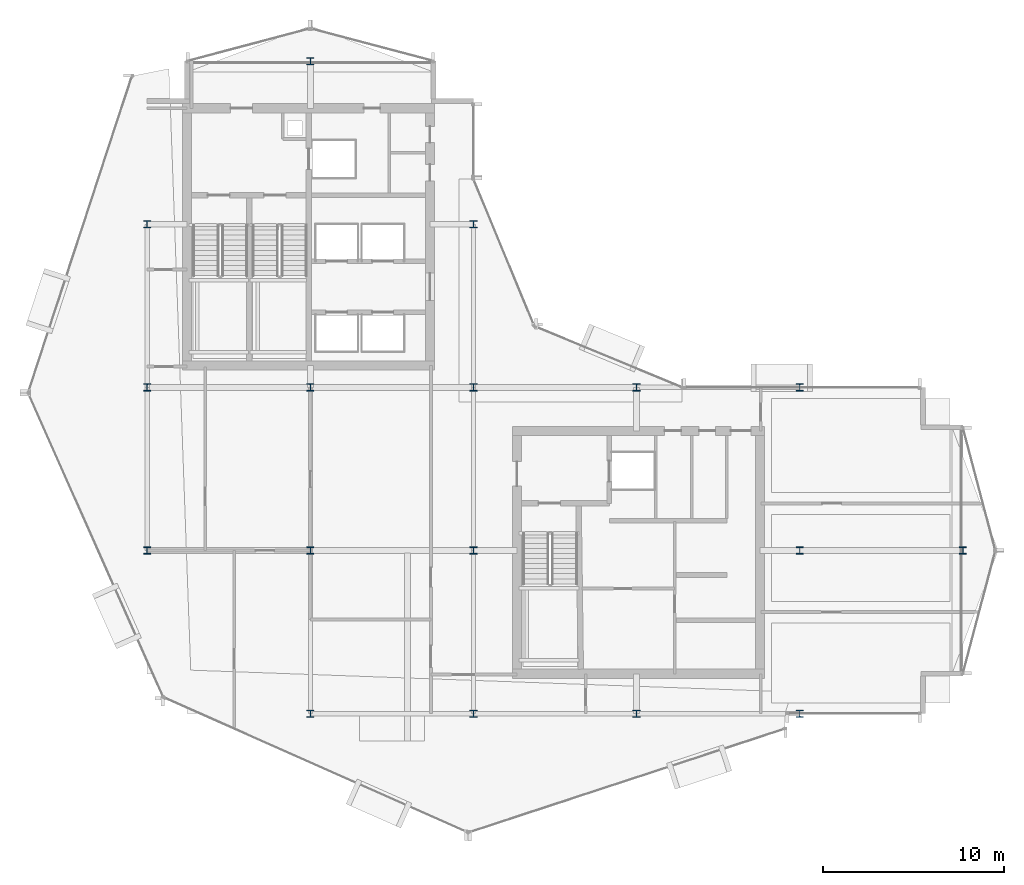
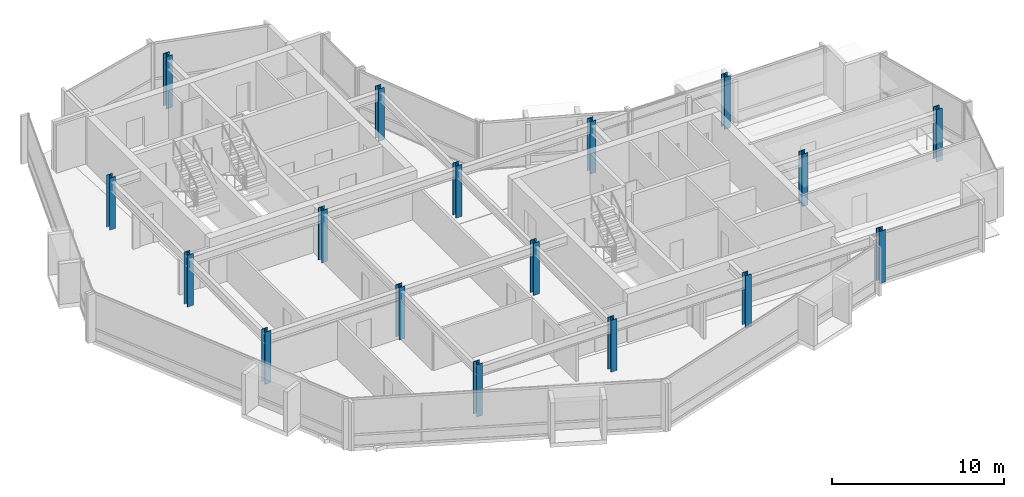
# One storey, part 1 of 28: 17 columns.
"""IFC4 building model written with IfcOpenShell, lengths in metres."""

from ifc_helpers import new_model, si_unit, direction, frame, origin, origin_2d, place, context, subcontext, project, spatial, i_section, extrude, material, material_profile, profile_set, type_object, element, save


model = new_model("IFC4")

# Units and contexts
model_context = context("Model", 3, precision=1e-05, world=origin(), true_north=direction((0.0, 1.0)))
body_context = subcontext(model_context, "Body", "Model", "MODEL_VIEW")
ifc_project = project(units=[si_unit("LENGTHUNIT", "METRE"), si_unit("AREAUNIT", "SQUARE_METRE"), si_unit("VOLUMEUNIT", "CUBIC_METRE"), si_unit("PLANEANGLEUNIT", "RADIAN"), si_unit("MASSUNIT", "GRAM", prefix="KILO")], contexts=[model_context])

# Site, building, storey
site_placement = place(None, origin())
site = spatial("IfcSite", under=ifc_project, at=site_placement, CompositionType="ELEMENT")
building_placement = place(site_placement, origin())
building = spatial("IfcBuilding", under=site, at=building_placement, Name="Solvaryn Broadcast Tower", CompositionType="ELEMENT")
storey_placement = place(building_placement, frame((0.0, 0.0, 206.199951171875)))
storey = spatial("IfcBuildingStorey", under=building, at=storey_placement, Name="L51", CompositionType="ELEMENT", Elevation=206.199951171875)

# Columns
ifc_material_1 = material(Name="Steel ASTM A913 Grade 65", Category="steel")
ifc_material_profile_1 = material_profile(ifc_material_1, i_section(OverallWidth=0.40087890625, OverallDepth=0.39892578125, WebThickness=0.02490234375, FlangeThickness=0.03955078125, FilletRadius=0.014892578125, at=origin_2d()))
ifc_profile_set_1 = profile_set([ifc_material_profile_1], Name="Steel ASTM A913 Grade 65")
column_type_1 = type_object("IfcColumnType", Name="COL-C08E-W14X211", PredefinedType="COLUMN", material=ifc_profile_set_1)
for number, where, z_axis, x_axis, name in (
    (1, (9.0, 18.0, 0.0), (0.0, 0.0, 1.0), (1.0, 0.0, 0.0), "L51 Column (9.0, 18.0)"),
    (2, (9.0, 27.0, 0.0), (0.0, 0.0, 1.0), (1.0, 0.0, 0.0), "L51 Column (9.0, 27.0)"),
    (3, (9.0, 36.0, 0.0), (0.0, 0.0, 1.0), (1.0, 0.0, 0.0), "L51 Column (9.0, 36.0)"),
    (4, (18.0, 9.0, 0.0), (0.0, 0.0, 1.0), (1.0, 0.0, 0.0), "L51 Column (18.0, 9.0)"),
    (5, (18.0, 45.0, 0.0), (0.0, 0.0, 1.0), (1.0, 0.0, 0.0), "L51 Column (18.0, 45.0)"),
    (6, (27.0, 9.0, 0.0), (0.0, 0.0, 1.0), (1.0, 0.0, 0.0), "L51 Column (27.0, 9.0)"),
    (7, (27.0, 36.0, 0.0), (0.0, 0.0, 1.0), (1.0, 0.0, 0.0), "L51 Column (27.0, 36.0)"),
    (8, (36.0, 9.0, 0.0), (0.0, 0.0, 1.0), (1.0, 0.0, 0.0), "L51 Column (36.0, 9.0)"),
    (9, (36.0, 27.0, 0.0), (0.0, 0.0, 1.0), (1.0, 0.0, 0.0), "L51 Column (36.0, 27.0)"),
    (10, (45.0, 9.0, 0.0), (0.0, 0.0, 1.0), (1.0, 0.0, 0.0), "L51 Column (45.0, 9.0)"),
    (11, (45.0, 27.0, 0.0), (0.0, 0.0, 1.0), (1.0, 0.0, 0.0), "L51 Column (45.0, 27.0)"),
    (12, (54.0, 18.0, 0.0), (0.0, 0.0, 1.0), (1.0, 0.0, 0.0), "L51 Column (54.0, 18.0)"),
):
    element("IfcColumn", number, at=place(storey_placement, frame(where, z_axis=z_axis, x_axis=x_axis)), inside=storey, type_object=column_type_1, Name=name, PredefinedType="COLUMN", context=body_context, shape_type="SweptSolid", body=[
        extrude(i_section(OverallWidth=0.40087890625, OverallDepth=0.39892578125, WebThickness=0.02490234375, FlangeThickness=0.03955078125, FilletRadius=0.014892578125, at=origin_2d()), origin(), (0.0, 0.0, 1.0), 3.699951171875),
    ])
ifc_material_2 = material(Name="Steel ASTM A913 Grade 65", Category="steel")
ifc_material_profile_2 = material_profile(ifc_material_2, i_section(OverallWidth=0.40087890625, OverallDepth=0.39892578125, WebThickness=0.02490234375, FlangeThickness=0.03955078125, FilletRadius=0.014892578125, at=origin_2d()))
ifc_profile_set_2 = profile_set([ifc_material_profile_2], Name="Steel ASTM A913 Grade 65")
column_type_2 = type_object("IfcColumnType", Name="COL-C08I-W14X211", PredefinedType="COLUMN", material=ifc_profile_set_2)
for number, where, z_axis, x_axis, name in (
    (13, (18.0, 18.0, 0.0), (0.0, 0.0, 1.0), (1.0, 0.0, 0.0), "L51 Column (18.0, 18.0)"),
    (14, (18.0, 27.0, 0.0), (0.0, 0.0, 1.0), (1.0, 0.0, 0.0), "L51 Column (18.0, 27.0)"),
    (15, (27.0, 18.0, 0.0), (0.0, 0.0, 1.0), (1.0, 0.0, 0.0), "L51 Column (27.0, 18.0)"),
    (16, (27.0, 27.0, 0.0), (0.0, 0.0, 1.0), (1.0, 0.0, 0.0), "L51 Column (27.0, 27.0)"),
    (17, (45.0, 18.0, 0.0), (0.0, 0.0, 1.0), (1.0, 0.0, 0.0), "L51 Column (45.0, 18.0)"),
):
    element("IfcColumn", number, at=place(storey_placement, frame(where, z_axis=z_axis, x_axis=x_axis)), inside=storey, type_object=column_type_2, Name=name, PredefinedType="COLUMN", context=body_context, shape_type="SweptSolid", body=[
        extrude(i_section(OverallWidth=0.40087890625, OverallDepth=0.39892578125, WebThickness=0.02490234375, FlangeThickness=0.03955078125, FilletRadius=0.014892578125, at=origin_2d()), origin(), (0.0, 0.0, 1.0), 3.699951171875),
    ])

save(model, "model.ifc")
